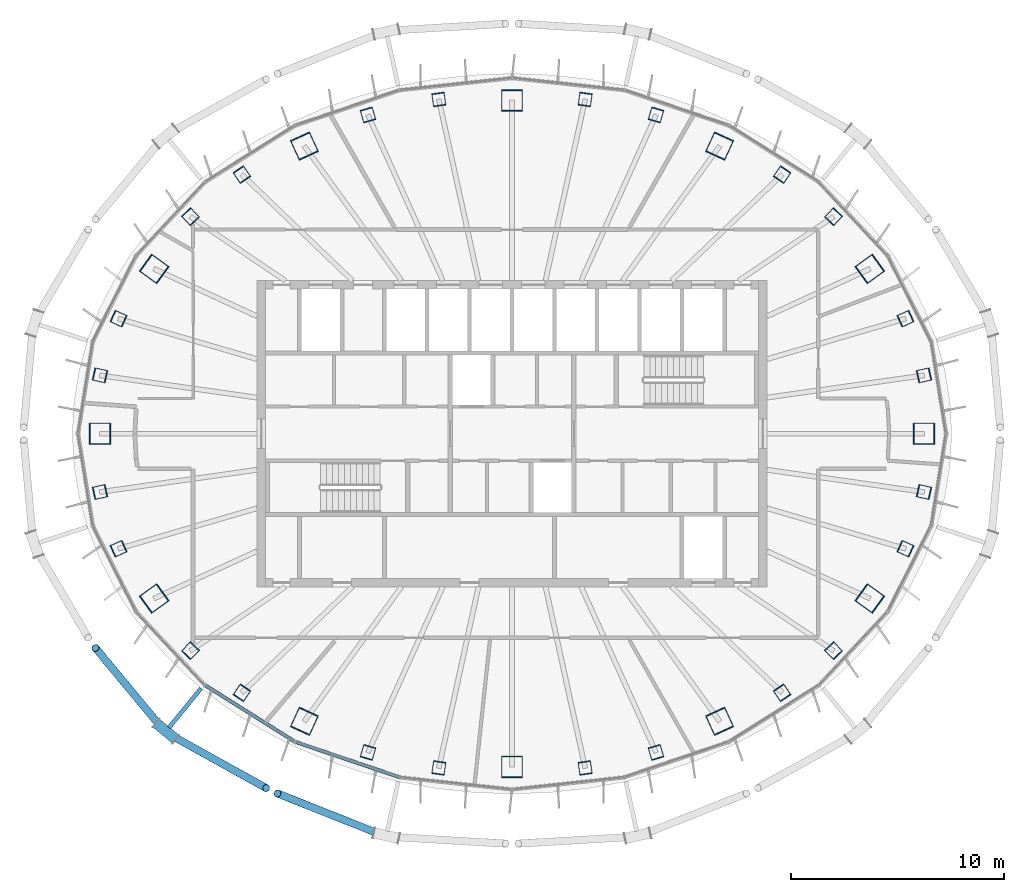
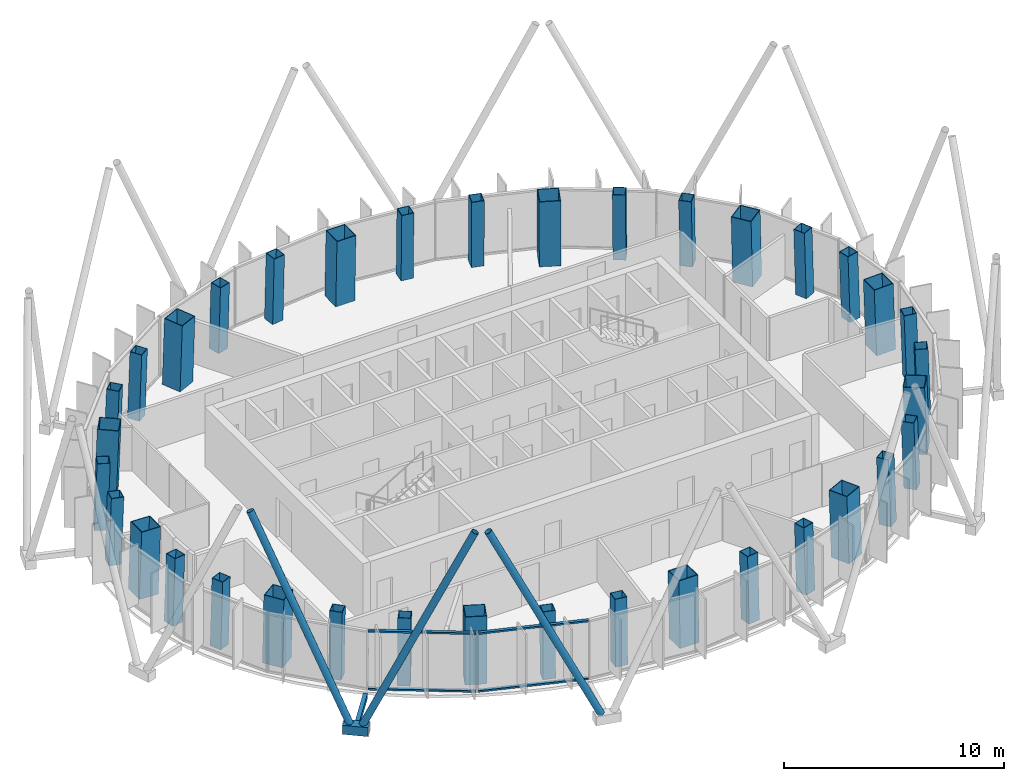
# One storey, part 1 of 18: 36 columns, 9 members, 2 elements without a shape of their own.
"""IFC4 building model written with IfcOpenShell, lengths in metres."""

from ifc_helpers import new_model, si_unit, direction, frame, origin, origin_2d, place, context, subcontext, project, spatial, rectangle, hollow_rectangle, hollow_circle, extrude, material, layer, layer_set, material_profile, profile_set, type_object, element, aggregate, save


model = new_model("IFC4")

# Units and contexts
model_context = context("Model", 3, precision=1e-05, world=origin(), true_north=direction((0.0, 1.0)))
body_context = subcontext(model_context, "Body", "Model", "MODEL_VIEW")
ifc_project = project(units=[si_unit("LENGTHUNIT", "METRE"), si_unit("AREAUNIT", "SQUARE_METRE"), si_unit("VOLUMEUNIT", "CUBIC_METRE"), si_unit("PLANEANGLEUNIT", "RADIAN"), si_unit("MASSUNIT", "GRAM", prefix="KILO")], contexts=[model_context])

# Site, building, storey
site_placement = place(None, origin())
site = spatial("IfcSite", under=ifc_project, at=site_placement, CompositionType="ELEMENT")
building_placement = place(site_placement, origin())
building = spatial("IfcBuilding", under=site, at=building_placement, Name="Siaravel Broadcast Tower", CompositionType="ELEMENT")
storey_placement = place(building_placement, frame((0.0, 0.0, 261.5)))
storey = spatial("IfcBuildingStorey", under=building, at=storey_placement, Name="L64", CompositionType="ELEMENT", Elevation=261.5)

# Columns
ifc_material_1 = material(Name="Concrete C70/85", Category="concrete")
ifc_material_profile_1 = material_profile(ifc_material_1, hollow_rectangle(XDim=1.0, YDim=1.0, WallThickness=0.031982421875, at=origin_2d()))
ifc_profile_set_1 = profile_set([ifc_material_profile_1], Name="Concrete C70/85")
column_type_1 = type_object("IfcColumnType", Name="COL-CFT BOX 1000x1000x32", PredefinedType="COLUMN", material=ifc_profile_set_1)
column_1_placement = place(storey_placement, frame((19.3916015625, 0.0, 0.0), z_axis=(-0.034621265, 0.0, 0.999400504), x_axis=(0.0, -1.0, 0.0)))
element("IfcColumn", 1, at=column_1_placement, inside=storey, type_object=column_type_1, Name="Megacolumn MC01", PredefinedType="COLUMN", context=body_context, shape_type="SweptSolid", body=[
    extrude(hollow_rectangle(XDim=1.0, YDim=1.0, WallThickness=0.031982421875, at=origin_2d()), origin(), (0.0, 0.0, 1.0), 3.7021484375),
])
column_2_placement = place(storey_placement, frame((16.84716796875, 7.7587890625, 0.0), z_axis=(-0.030006556, -0.014178922, 0.999449131), x_axis=(0.584046305, -0.811698022, 0.006019531)))
element("IfcColumn", 2, at=column_2_placement, inside=storey, type_object=column_type_1, Name="Megacolumn MC02", PredefinedType="COLUMN", context=body_context, shape_type="SweptSolid", body=[
    extrude(hollow_rectangle(XDim=1.0, YDim=1.0, WallThickness=0.031982421875, at=origin_2d()), origin(), (0.0, 0.0, 1.0), 3.701904296875),
])
column_3_placement = place(storey_placement, frame((9.775390625, 13.541748046875, 0.0), z_axis=(-0.017280237, -0.024535299, 0.999549605), x_axis=(0.90888282, -0.417015619, 0.005476575)))
element("IfcColumn", 3, at=column_3_placement, inside=storey, type_object=column_type_1, Name="Megacolumn MC03", PredefinedType="COLUMN", context=body_context, shape_type="SweptSolid", body=[
    extrude(hollow_rectangle(XDim=1.0, YDim=1.0, WallThickness=0.031982421875, at=origin_2d()), origin(), (0.0, 0.0, 1.0), 3.70166015625),
])
column_4_placement = place(storey_placement, frame((0.0, 15.684814453125, 0.0), z_axis=(0.0, -0.028296154, 0.999599584), x_axis=(1.0, 0.0, 0.0)))
element("IfcColumn", 4, at=column_4_placement, inside=storey, type_object=column_type_1, Name="Megacolumn MC04", PredefinedType="COLUMN", context=body_context, shape_type="SweptSolid", body=[
    extrude(hollow_rectangle(XDim=1.0, YDim=1.0, WallThickness=0.031982421875, at=origin_2d()), origin(), (0.0, 0.0, 1.0), 3.701416015625),
])
column_5_placement = place(storey_placement, frame((-9.775390625, 13.541748046875, 0.0), z_axis=(0.017280237, -0.024535299, 0.999549605), x_axis=(0.90888282, 0.417015619, -0.005476575)))
element("IfcColumn", 5, at=column_5_placement, inside=storey, type_object=column_type_1, Name="Megacolumn MC05", PredefinedType="COLUMN", context=body_context, shape_type="SweptSolid", body=[
    extrude(hollow_rectangle(XDim=1.0, YDim=1.0, WallThickness=0.031982421875, at=origin_2d()), origin(), (0.0, 0.0, 1.0), 3.70166015625),
])
column_6_placement = place(storey_placement, frame((-16.84716796875, 7.7587890625, 0.0), z_axis=(0.030006556, -0.014178922, 0.999449131), x_axis=(0.584046305, 0.811698022, -0.006019531)))
element("IfcColumn", 6, at=column_6_placement, inside=storey, type_object=column_type_1, Name="Megacolumn MC06", PredefinedType="COLUMN", context=body_context, shape_type="SweptSolid", body=[
    extrude(hollow_rectangle(XDim=1.0, YDim=1.0, WallThickness=0.031982421875, at=origin_2d()), origin(), (0.0, 0.0, 1.0), 3.701904296875),
])
column_7_placement = place(storey_placement, frame((-19.3916015625, 0.0, 0.0), z_axis=(0.034621265, 0.0, 0.999400504), x_axis=(0.0, 1.0, 0.0)))
element("IfcColumn", 7, at=column_7_placement, inside=storey, type_object=column_type_1, Name="Megacolumn MC07", PredefinedType="COLUMN", context=body_context, shape_type="SweptSolid", body=[
    extrude(hollow_rectangle(XDim=1.0, YDim=1.0, WallThickness=0.031982421875, at=origin_2d()), origin(), (0.0, 0.0, 1.0), 3.7021484375),
])
column_8_placement = place(storey_placement, frame((-16.84716796875, -7.7587890625, 0.0), z_axis=(0.030006556, 0.014178922, 0.999449131), x_axis=(-0.584046305, 0.811698022, 0.006019531)))
element("IfcColumn", 8, at=column_8_placement, inside=storey, type_object=column_type_1, Name="Megacolumn MC08", PredefinedType="COLUMN", context=body_context, shape_type="SweptSolid", body=[
    extrude(hollow_rectangle(XDim=1.0, YDim=1.0, WallThickness=0.031982421875, at=origin_2d()), origin(), (0.0, 0.0, 1.0), 3.701904296875),
])
column_9_placement = place(storey_placement, frame((-9.775390625, -13.541748046875, 0.0), z_axis=(0.017280237, 0.024535299, 0.999549605), x_axis=(-0.90888282, 0.417015619, 0.005476575)))
element("IfcColumn", 9, at=column_9_placement, inside=storey, type_object=column_type_1, Name="Megacolumn MC09", PredefinedType="COLUMN", context=body_context, shape_type="SweptSolid", body=[
    extrude(hollow_rectangle(XDim=1.0, YDim=1.0, WallThickness=0.031982421875, at=origin_2d()), origin(), (0.0, 0.0, 1.0), 3.70166015625),
])
column_10_placement = place(storey_placement, frame((0.0, -15.684814453125, 0.0), z_axis=(0.0, 0.028296154, 0.999599584), x_axis=(-1.0, 0.0, 0.0)))
element("IfcColumn", 10, at=column_10_placement, inside=storey, type_object=column_type_1, Name="Megacolumn MC10", PredefinedType="COLUMN", context=body_context, shape_type="SweptSolid", body=[
    extrude(hollow_rectangle(XDim=1.0, YDim=1.0, WallThickness=0.031982421875, at=origin_2d()), origin(), (0.0, 0.0, 1.0), 3.701416015625),
])
column_11_placement = place(storey_placement, frame((9.775390625, -13.541748046875, 0.0), z_axis=(-0.017280237, 0.024535299, 0.999549605), x_axis=(-0.90888282, -0.417015619, -0.005476575)))
element("IfcColumn", 11, at=column_11_placement, inside=storey, type_object=column_type_1, Name="Megacolumn MC11", PredefinedType="COLUMN", context=body_context, shape_type="SweptSolid", body=[
    extrude(hollow_rectangle(XDim=1.0, YDim=1.0, WallThickness=0.031982421875, at=origin_2d()), origin(), (0.0, 0.0, 1.0), 3.70166015625),
])
column_12_placement = place(storey_placement, frame((16.84716796875, -7.7587890625, 0.0), z_axis=(-0.030006556, 0.014178922, 0.999449131), x_axis=(-0.584046305, -0.811698022, -0.006019531)))
element("IfcColumn", 12, at=column_12_placement, inside=storey, type_object=column_type_1, Name="Megacolumn MC12", PredefinedType="COLUMN", context=body_context, shape_type="SweptSolid", body=[
    extrude(hollow_rectangle(XDim=1.0, YDim=1.0, WallThickness=0.031982421875, at=origin_2d()), origin(), (0.0, 0.0, 1.0), 3.701904296875),
])
ifc_material_2 = material(Name="Concrete C50/60", Category="concrete")
ifc_material_profile_2 = material_profile(ifc_material_2, hollow_rectangle(XDim=0.60009765625, YDim=0.60009765625, WallThickness=0.02490234375, at=origin_2d()))
ifc_profile_set_2 = profile_set([ifc_material_profile_2], Name="Concrete C50/60")
column_type_2 = type_object("IfcColumnType", Name="COL-CFT BOX 600x600x25", PredefinedType="COLUMN", material=ifc_profile_set_2)
for number, where, z_axis, x_axis, name in (
    (13, (19.398193359375, 2.746337890625, 0.0), (-0.034093903, -0.004945924, 0.999406396), (0.213741915, -0.976887074, 0.002457145), "Perimeter column C01"),
    (14, (18.524658203125, 5.416015625, 0.0), (-0.032511771, -0.009760126, 0.999423696), (0.412568359, -0.910915403, 0.004525287), "Perimeter column C02"),
):
    element("IfcColumn", number, at=place(storey_placement, frame(where, z_axis=z_axis, x_axis=x_axis)), inside=storey, type_object=column_type_2, Name=name, PredefinedType="COLUMN", context=body_context, shape_type="SweptSolid", body=[
        extrude(hollow_rectangle(XDim=0.60009765625, YDim=0.60009765625, WallThickness=0.02490234375, at=origin_2d()), origin(), (0.0, 0.0, 1.0), 3.7021484375),
    ])
column_13_placement = place(storey_placement, frame((15.138671875, 10.216796875, 0.0), z_axis=(-0.026512147, -0.01826832, 0.999481553), x_axis=(0.722216829, -0.691636028, 0.006515868)))
element("IfcColumn", 15, at=column_13_placement, inside=storey, type_object=column_type_2, Name="Perimeter column C03", PredefinedType="COLUMN", context=body_context, shape_type="SweptSolid", body=[
    extrude(hollow_rectangle(XDim=0.60009765625, YDim=0.60009765625, WallThickness=0.02490234375, at=origin_2d()), origin(), (0.0, 0.0, 1.0), 3.701904296875),
])
column_14_placement = place(storey_placement, frame((12.718505859375, 12.19873046875, 0.0), z_axis=(-0.022226156, -0.021698532, 0.999517469), x_axis=(0.829024149, -0.559177363, 0.00629573)))
element("IfcColumn", 16, at=column_14_placement, inside=storey, type_object=column_type_2, Name="Perimeter column C04", PredefinedType="COLUMN", context=body_context, shape_type="SweptSolid", body=[
    extrude(hollow_rectangle(XDim=0.60009765625, YDim=0.60009765625, WallThickness=0.02490234375, at=origin_2d()), origin(), (0.0, 0.0, 1.0), 3.70166015625),
])
for number, where, z_axis, x_axis, name in (
    (17, (6.780029296875, 15.006103515625, 0.0), (-0.011872213, -0.026646524, 0.999574416), (0.959771748, -0.280754097, 0.003915161), "Perimeter column C05"),
    (18, (3.444091796875, 15.738037109375, 0.0), (-0.006068129, -0.027900201, 0.999592295), (0.989905474, -0.141714268, 0.002053855), "Perimeter column C06"),
    (19, (-3.444091796875, 15.738037109375, 0.0), (0.006068129, -0.027900201, 0.999592295), (0.989905474, 0.141714268, -0.002053855), "Perimeter column C07"),
    (20, (-6.780029296875, 15.006103515625, 0.0), (0.011872213, -0.026646524, 0.999574416), (0.959771748, 0.280754097, -0.003915161), "Perimeter column C08"),
):
    element("IfcColumn", number, at=place(storey_placement, frame(where, z_axis=z_axis, x_axis=x_axis)), inside=storey, type_object=column_type_2, Name=name, PredefinedType="COLUMN", context=body_context, shape_type="SweptSolid", body=[
        extrude(hollow_rectangle(XDim=0.60009765625, YDim=0.60009765625, WallThickness=0.02490234375, at=origin_2d()), origin(), (0.0, 0.0, 1.0), 3.701416015625),
    ])
column_15_placement = place(storey_placement, frame((-12.718505859375, 12.19873046875, 0.0), z_axis=(0.022226156, -0.021698532, 0.999517469), x_axis=(0.829024149, 0.559177363, -0.00629573)))
element("IfcColumn", 21, at=column_15_placement, inside=storey, type_object=column_type_2, Name="Perimeter column C09", PredefinedType="COLUMN", context=body_context, shape_type="SweptSolid", body=[
    extrude(hollow_rectangle(XDim=0.60009765625, YDim=0.60009765625, WallThickness=0.02490234375, at=origin_2d()), origin(), (0.0, 0.0, 1.0), 3.70166015625),
])
column_16_placement = place(storey_placement, frame((-15.138671875, 10.216796875, 0.0), z_axis=(0.026512147, -0.01826832, 0.999481553), x_axis=(0.722216829, 0.691636028, -0.006515868)))
element("IfcColumn", 22, at=column_16_placement, inside=storey, type_object=column_type_2, Name="Perimeter column C10", PredefinedType="COLUMN", context=body_context, shape_type="SweptSolid", body=[
    extrude(hollow_rectangle(XDim=0.60009765625, YDim=0.60009765625, WallThickness=0.02490234375, at=origin_2d()), origin(), (0.0, 0.0, 1.0), 3.701904296875),
])
for number, where, z_axis, x_axis, name in (
    (23, (-18.524658203125, 5.416015625, 0.0), (0.032511771, -0.009760126, 0.999423696), (0.412568359, 0.910915403, -0.004525287), "Perimeter column C11"),
    (24, (-19.398193359375, 2.746337890625, 0.0), (0.034093903, -0.004945924, 0.999406396), (0.213741915, 0.976887074, -0.002457145), "Perimeter column C12"),
    (25, (-19.398193359375, -2.746337890625, 0.0), (0.034093903, 0.004945924, 0.999406396), (-0.213741915, 0.976887074, 0.002457145), "Perimeter column C13"),
    (26, (-18.524658203125, -5.416015625, 0.0), (0.032511771, 0.009760126, 0.999423696), (-0.412568359, 0.910915403, 0.004525287), "Perimeter column C14"),
):
    element("IfcColumn", number, at=place(storey_placement, frame(where, z_axis=z_axis, x_axis=x_axis)), inside=storey, type_object=column_type_2, Name=name, PredefinedType="COLUMN", context=body_context, shape_type="SweptSolid", body=[
        extrude(hollow_rectangle(XDim=0.60009765625, YDim=0.60009765625, WallThickness=0.02490234375, at=origin_2d()), origin(), (0.0, 0.0, 1.0), 3.7021484375),
    ])
column_17_placement = place(storey_placement, frame((-15.138671875, -10.216796875, 0.0), z_axis=(0.026512147, 0.01826832, 0.999481553), x_axis=(-0.722216829, 0.691636028, 0.006515868)))
element("IfcColumn", 27, at=column_17_placement, inside=storey, type_object=column_type_2, Name="Perimeter column C15", PredefinedType="COLUMN", context=body_context, shape_type="SweptSolid", body=[
    extrude(hollow_rectangle(XDim=0.60009765625, YDim=0.60009765625, WallThickness=0.02490234375, at=origin_2d()), origin(), (0.0, 0.0, 1.0), 3.701904296875),
])
column_18_placement = place(storey_placement, frame((-12.718505859375, -12.19873046875, 0.0), z_axis=(0.022226156, 0.021698532, 0.999517469), x_axis=(-0.829024149, 0.559177363, 0.00629573)))
element("IfcColumn", 28, at=column_18_placement, inside=storey, type_object=column_type_2, Name="Perimeter column C16", PredefinedType="COLUMN", context=body_context, shape_type="SweptSolid", body=[
    extrude(hollow_rectangle(XDim=0.60009765625, YDim=0.60009765625, WallThickness=0.02490234375, at=origin_2d()), origin(), (0.0, 0.0, 1.0), 3.70166015625),
])
for number, where, z_axis, x_axis, name in (
    (29, (-6.780029296875, -15.006103515625, 0.0), (0.011872213, 0.026646524, 0.999574416), (-0.959771748, 0.280754097, 0.003915161), "Perimeter column C17"),
    (30, (-3.444091796875, -15.738037109375, 0.0), (0.006068129, 0.027900201, 0.999592295), (-0.989905474, 0.141714268, 0.002053855), "Perimeter column C18"),
    (31, (3.444091796875, -15.738037109375, 0.0), (-0.006068129, 0.027900201, 0.999592295), (-0.989905474, -0.141714268, -0.002053855), "Perimeter column C19"),
    (32, (6.780029296875, -15.006103515625, 0.0), (-0.011872213, 0.026646524, 0.999574416), (-0.959771748, -0.280754097, -0.003915161), "Perimeter column C20"),
):
    element("IfcColumn", number, at=place(storey_placement, frame(where, z_axis=z_axis, x_axis=x_axis)), inside=storey, type_object=column_type_2, Name=name, PredefinedType="COLUMN", context=body_context, shape_type="SweptSolid", body=[
        extrude(hollow_rectangle(XDim=0.60009765625, YDim=0.60009765625, WallThickness=0.02490234375, at=origin_2d()), origin(), (0.0, 0.0, 1.0), 3.701416015625),
    ])
column_19_placement = place(storey_placement, frame((12.718505859375, -12.19873046875, 0.0), z_axis=(-0.022226156, 0.021698532, 0.999517469), x_axis=(-0.829024149, -0.559177363, -0.00629573)))
element("IfcColumn", 33, at=column_19_placement, inside=storey, type_object=column_type_2, Name="Perimeter column C21", PredefinedType="COLUMN", context=body_context, shape_type="SweptSolid", body=[
    extrude(hollow_rectangle(XDim=0.60009765625, YDim=0.60009765625, WallThickness=0.02490234375, at=origin_2d()), origin(), (0.0, 0.0, 1.0), 3.70166015625),
])
column_20_placement = place(storey_placement, frame((15.138671875, -10.216796875, 0.0), z_axis=(-0.026512147, 0.01826832, 0.999481553), x_axis=(-0.722216829, -0.691636028, -0.006515868)))
element("IfcColumn", 34, at=column_20_placement, inside=storey, type_object=column_type_2, Name="Perimeter column C22", PredefinedType="COLUMN", context=body_context, shape_type="SweptSolid", body=[
    extrude(hollow_rectangle(XDim=0.60009765625, YDim=0.60009765625, WallThickness=0.02490234375, at=origin_2d()), origin(), (0.0, 0.0, 1.0), 3.701904296875),
])
for number, where, z_axis, x_axis, name in (
    (35, (18.524658203125, -5.416015625, 0.0), (-0.032511771, 0.009760126, 0.999423696), (-0.412568359, -0.910915403, -0.004525287), "Perimeter column C23"),
    (36, (19.398193359375, -2.746337890625, 0.0), (-0.034093903, 0.004945924, 0.999406396), (-0.213741915, -0.976887074, -0.002457145), "Perimeter column C24"),
):
    element("IfcColumn", number, at=place(storey_placement, frame(where, z_axis=z_axis, x_axis=x_axis)), inside=storey, type_object=column_type_2, Name=name, PredefinedType="COLUMN", context=body_context, shape_type="SweptSolid", body=[
        extrude(hollow_rectangle(XDim=0.60009765625, YDim=0.60009765625, WallThickness=0.02490234375, at=origin_2d()), origin(), (0.0, 0.0, 1.0), 3.7021484375),
    ])

# Curtain wall, members
ifc_material_3 = material(Name="Aluminium 6063-T6", Category="aluminium")
ifc_layer = layer(ifc_material_3, 0.159912109375)
ifc_layer_set = layer_set([ifc_layer], Name="Aluminium 6063-T6")
curtain_wall_type = type_object("IfcCurtainWallType", Name="Unitised curtain wall, zone 4", PredefinedType="NOTDEFINED", material=ifc_layer_set)
curtain_wall_1_placement = place(storey_placement, origin())
curtain_wall_1 = element("IfcCurtainWall", 37, at=curtain_wall_1_placement, inside=storey, type_object=curtain_wall_type, Name="L64 Unitised curtain wall, zone 4 08", PredefinedType="NOTDEFINED")
ifc_material_profile_3 = material_profile(ifc_material_3, rectangle(XDim=0.159912109375, YDim=0.090087890625, at=origin_2d()))
ifc_profile_set_3 = profile_set([ifc_material_profile_3], Name="Aluminium 6063-T6")
member_type_1 = type_object("IfcMemberType", Name="CW-Z4 transom", PredefinedType="USERDEFINED", material=ifc_profile_set_3)
member_1_placement = place(storey_placement, frame((-14.40771484375, -11.847900390625, 0.044921875), z_axis=(0.846663426, -0.532128784, 0.0), x_axis=(0.532128784, 0.846663426, 0.0)))
member_1 = element("IfcMember", 38, at=member_1_placement, type_object=member_type_1, Name="CW-Z4 transom 2", ObjectType="TRANSOM", PredefinedType="USERDEFINED", context=body_context, shape_type="SweptSolid", body=[
    extrude(rectangle(XDim=0.159912109375, YDim=0.090087890625, at=origin_2d()), origin(), (0.0, 0.0, 1.0), 4.910888671875),
])
member_2_placement = place(storey_placement, frame((-14.40771484375, -11.847900390625, 3.2548828125), z_axis=(0.846663426, -0.532128784, 0.0), x_axis=(0.532128784, 0.846663426, 0.0)))
member_2 = element("IfcMember", 39, at=member_2_placement, type_object=member_type_1, Name="CW-Z4 transom 2", ObjectType="TRANSOM", PredefinedType="USERDEFINED", context=body_context, shape_type="SweptSolid", body=[
    extrude(rectangle(XDim=0.159912109375, YDim=0.090087890625, at=origin_2d()), origin(), (0.0, 0.0, 1.0), 4.910888671875),
])
aggregate(curtain_wall_1, [member_1, member_2])

curtain_wall_2_placement = place(storey_placement, origin())
curtain_wall_2 = element("IfcCurtainWall", 40, at=curtain_wall_2_placement, inside=storey, type_object=curtain_wall_type, Name="L64 Unitised curtain wall, zone 4 09", PredefinedType="NOTDEFINED")
member_3_placement = place(storey_placement, frame((-10.15087890625, -14.50830078125, 0.044921875), z_axis=(0.946984924, -0.321278, 0.0), x_axis=(0.321278, 0.946984924, 0.0)))
member_3 = element("IfcMember", 41, at=member_3_placement, type_object=member_type_1, Name="CW-Z4 transom 1", ObjectType="TRANSOM", PredefinedType="USERDEFINED", context=body_context, shape_type="SweptSolid", body=[
    extrude(rectangle(XDim=0.159912109375, YDim=0.090087890625, at=origin_2d()), origin(), (0.0, 0.0, 1.0), 5.114990234375),
])
member_4_placement = place(storey_placement, frame((-10.15087890625, -14.50830078125, 3.2548828125), z_axis=(0.946984924, -0.321278, 0.0), x_axis=(0.321278, 0.946984924, 0.0)))
member_4 = element("IfcMember", 42, at=member_4_placement, type_object=member_type_1, Name="CW-Z4 transom 1", ObjectType="TRANSOM", PredefinedType="USERDEFINED", context=body_context, shape_type="SweptSolid", body=[
    extrude(rectangle(XDim=0.159912109375, YDim=0.090087890625, at=origin_2d()), origin(), (0.0, 0.0, 1.0), 5.114990234375),
])
aggregate(curtain_wall_2, [member_3, member_4])

# Members
ifc_material_4 = material(Name="Steel S460", Category="steel")
ifc_material_profile_4 = material_profile(ifc_material_4, hollow_circle(Radius=0.177734375, WallThickness=0.012451171875, at=origin_2d()))
ifc_profile_set_4 = profile_set([ifc_material_profile_4], Name="Steel S460")
member_type_2 = type_object("IfcMemberType", Name="Diagrid diagonal CHS 355.6x12.5", PredefinedType="BRACE", material=ifc_profile_set_4)
member_5_placement = place(storey_placement, frame((-16.501708984375, -13.803955078125, 0.02001953125), z_axis=(-0.2638169, 0.318144412, 0.910595836), x_axis=(-0.769770055, -0.638321285, 0.0)))
element("IfcMember", 43, at=member_5_placement, inside=storey, type_object=member_type_2, Name="Diagrid diagonal R26 station 45C", PredefinedType="BRACE", context=body_context, shape_type="SweptSolid", body=[
    extrude(hollow_circle(Radius=0.177734375, WallThickness=0.012451171875, at=origin_2d()), origin(), (0.0, 0.0, 1.0), 11.70654296875),
])
member_6_placement = place(storey_placement, frame((-16.04443359375, -14.1787109375, 0.02001953125), z_axis=(0.379036862, -0.210527879, 0.901115458), x_axis=(0.485558059, 0.874204422, 0.0)))
element("IfcMember", 44, at=member_6_placement, inside=storey, type_object=member_type_2, Name="Diagrid diagonal R26 station 45A", PredefinedType="BRACE", context=body_context, shape_type="SweptSolid", body=[
    extrude(hollow_circle(Radius=0.177734375, WallThickness=0.012451171875, at=origin_2d()), origin(), (0.0, 0.0, 1.0), 11.82958984375),
])
member_7_placement = place(storey_placement, frame((-6.199462890625, -18.841064453125, 0.02001953125), z_axis=(-0.407037487, 0.16182674, 0.898961952), x_axis=(-0.369444903, -0.929252637, 0.0)))
element("IfcMember", 45, at=member_7_placement, inside=storey, type_object=member_type_2, Name="Diagrid diagonal R26 station 51C", PredefinedType="BRACE", context=body_context, shape_type="SweptSolid", body=[
    extrude(hollow_circle(Radius=0.177734375, WallThickness=0.012451171875, at=origin_2d()), origin(), (0.0, 0.0, 1.0), 11.85791015625),
])
ifc_material_profile_5 = material_profile(ifc_material_4, hollow_rectangle(XDim=0.5, YDim=0.5, WallThickness=0.031982421875, at=origin_2d()))
ifc_profile_set_5 = profile_set([ifc_material_profile_5], Name="Steel S460")
member_type_3 = type_object("IfcMemberType", Name="Diagrid node BOX 500x500x32", PredefinedType="USERDEFINED", material=ifc_profile_set_5)
member_8_placement = place(storey_placement, frame((-16.732177734375, -13.615234375, -0.199951171875), z_axis=(0.7735905, -0.633685835, 0.0), x_axis=(0.633685835, 0.7735905, 0.0)))
element("IfcMember", 46, at=member_8_placement, inside=storey, type_object=member_type_3, Name="Diagrid node R26 station 45", ObjectType="DIAGRID NODE", PredefinedType="USERDEFINED", context=body_context, shape_type="SweptSolid", body=[
    extrude(hollow_rectangle(XDim=0.5, YDim=0.5, WallThickness=0.031982421875, at=origin_2d()), origin(), (0.0, 0.0, 1.0), 1.1865234375),
])
ifc_material_profile_6 = material_profile(ifc_material_4, hollow_rectangle(XDim=0.199951171875, YDim=0.300048828125, WallThickness=0.012451171875, at=origin_2d()))
ifc_profile_set_6 = profile_set([ifc_material_profile_6], Name="Steel S460")
member_type_4 = type_object("IfcMemberType", Name="Diagrid node arm RHS 300x200x12.5", PredefinedType="STRUT", material=ifc_profile_set_6)
member_9_placement = place(storey_placement, frame((-14.62548828125, -11.97998046875, -0.199951171875), z_axis=(-0.633734814, -0.773550377, 0.0), x_axis=(0.773550377, -0.633734814, 0.0)))
element("IfcMember", 47, at=member_9_placement, inside=storey, type_object=member_type_4, Name="Node arm R26 station 45", PredefinedType="STRUT", context=body_context, shape_type="SweptSolid", body=[
    extrude(hollow_rectangle(XDim=0.199951171875, YDim=0.300048828125, WallThickness=0.012451171875, at=origin_2d()), origin(), (0.0, 0.0, 1.0), 2.380126953125),
])

save(model, "model.ifc")
